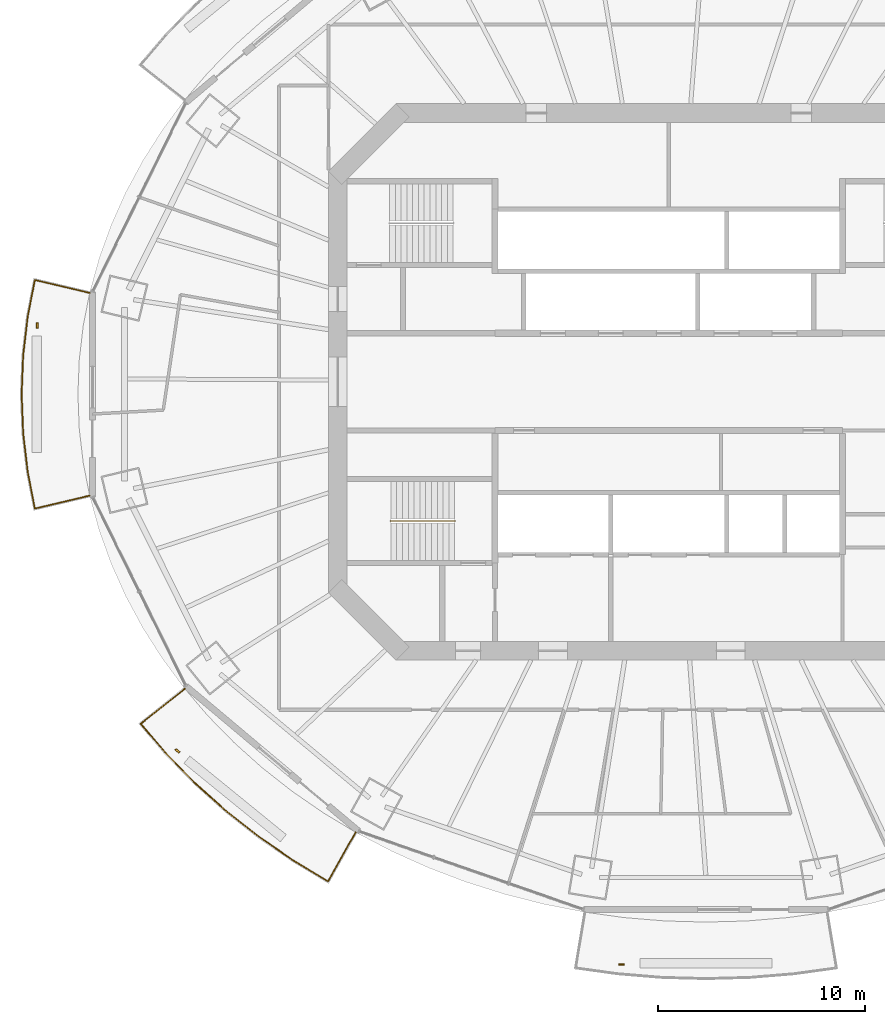
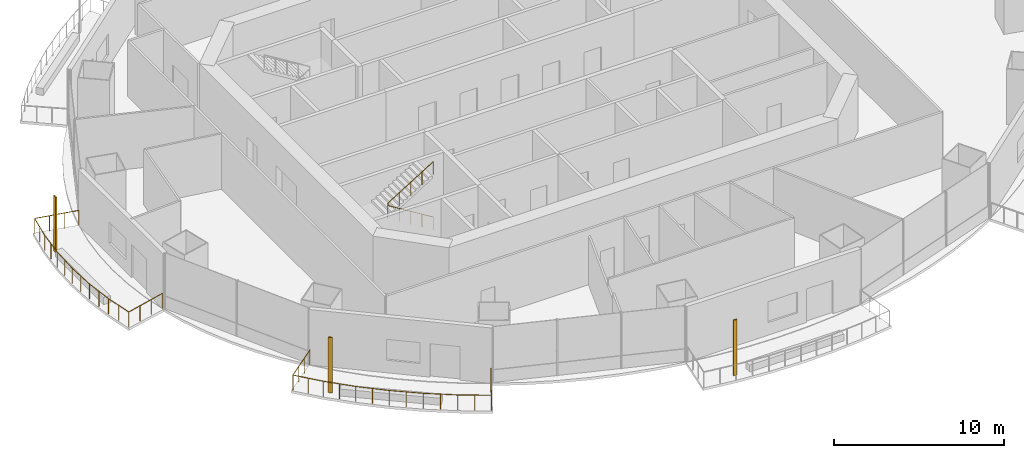
# One storey, part 14 of 19: 3 railings, 3 shading devices.
"""IFC4 building model written with IfcOpenShell, lengths in metres."""

from ifc_helpers import new_model, si_unit, direction, frame, origin, origin_2d, place, context, subcontext, project, spatial, rectangle, circle, extrude, material, material_profile, profile_set, type_object, element, save


model = new_model("IFC4")

# Units and contexts
model_context = context("Model", 3, precision=1e-05, world=origin(), true_north=direction((0.0, 1.0)))
body_context = subcontext(model_context, "Body", "Model", "MODEL_VIEW")
ifc_project = project(units=[si_unit("LENGTHUNIT", "METRE"), si_unit("AREAUNIT", "SQUARE_METRE"), si_unit("VOLUMEUNIT", "CUBIC_METRE"), si_unit("PLANEANGLEUNIT", "RADIAN"), si_unit("MASSUNIT", "GRAM", prefix="KILO")], contexts=[model_context])

# Site, building, storey
site_placement = place(None, origin())
site = spatial("IfcSite", under=ifc_project, at=site_placement, CompositionType="ELEMENT")
building_placement = place(site_placement, origin())
building = spatial("IfcBuilding", under=site, at=building_placement, Name="Marenthal Gate Tower", CompositionType="ELEMENT")
storey_placement = place(building_placement, frame((0.0, 0.0, 244.050048828125)))
storey = spatial("IfcBuildingStorey", under=building, at=storey_placement, Name="L54", CompositionType="ELEMENT", Elevation=244.050048828125)

# Railings
ifc_material_1 = material(Name="Stainless steel", Category="steel")
railing_type_1 = type_object("IfcRailingType", Name="Balcony guard 1100", PredefinedType="GUARDRAIL", material=ifc_material_1)
railing_1_placement = place(storey_placement, frame((-28.0, -5.500732421875, 0.0)))
element("IfcRailing", 1, at=railing_1_placement, inside=storey, type_object=railing_type_1, Name="Balcony guard L54 bay 8", PredefinedType="GUARDRAIL", context=body_context, shape_type="SweptSolid", body=[
    extrude(circle(Radius=0.02392578125, at=origin_2d()), frame((0.0, 0.0, 1.076171875), z_axis=(-0.973072245699, -0.230029899071, -0.014719041532), x_axis=(0.23005482113, -0.97317767097, 0.0)), (0.0, 0.0, 1.0), 2.72021484375),
    extrude(circle(Radius=0.02392578125, at=origin_2d()), frame((-2.64697265625, -0.625732421875, 1.0361328125), z_axis=(-0.191050348988, 0.981580238265, 0.0), x_axis=(-0.981580238265, -0.191050348988, 0.0)), (0.0, 0.0, 1.0), 1.80810546875),
    extrude(circle(Radius=0.02392578125, at=origin_2d()), frame((-2.992431640625, 1.149169921875, 1.0361328125), z_axis=(-0.116360074506, 0.99320709475, 0.0), x_axis=(-0.99320709475, -0.116360074506, 0.0)), (0.0, 0.0, 1.0), 1.884033203125),
    extrude(circle(Radius=0.02392578125, at=origin_2d()), frame((-3.211669921875, 3.0205078125, 1.0361328125), z_axis=(-0.038926454163, 0.999242078361, 0.0), x_axis=(-0.999242078361, -0.038926454163, 0.0)), (0.0, 0.0, 1.0), 1.881591796875),
    extrude(circle(Radius=0.02392578125, at=origin_2d()), frame((-3.284912109375, 4.900634765625, 1.0361328125), z_axis=(0.038921407749, 0.999242274936, 0.0), x_axis=(-0.999242274936, 0.038921407749, 0.0)), (0.0, 0.0, 1.0), 1.8818359375),
    extrude(circle(Radius=0.02392578125, at=origin_2d()), frame((-3.211669921875, 6.781005859375, 1.0361328125), z_axis=(0.116375051579, 0.993205339983, 0.0), x_axis=(-0.993205339983, 0.116375051579, 0.0)), (0.0, 0.0, 1.0), 1.8837890625),
    extrude(circle(Radius=0.02392578125, at=origin_2d()), frame((-2.992431640625, 8.652099609375, 1.0361328125), z_axis=(0.191025032202, 0.981585165471, 0.0), x_axis=(-0.981585165471, 0.191025032202, 0.0)), (0.0, 0.0, 1.0), 1.808349609375),
    extrude(circle(Radius=0.02392578125, at=origin_2d()), frame((-2.64697265625, 10.42724609375, 1.0361328125), z_axis=(0.973052153091, -0.230114897669, 0.014718737604), x_axis=(0.230139827907, 0.97315757183, 0.0)), (0.0, 0.0, 1.0), 2.72021484375),
    extrude(circle(Radius=0.02099609375, at=origin_2d()), origin(), (0.0, 0.0, 1.0), 1.052001953125),
    extrude(circle(Radius=0.02099609375, at=origin_2d()), frame((-0.88232421875, -0.20849609375, -0.013427734375)), (0.0, 0.0, 1.0), 1.052001953125),
    extrude(circle(Radius=0.02099609375, at=origin_2d()), frame((-1.7646484375, -0.417236328125, -0.026611328125)), (0.0, 0.0, 1.0), 1.052001953125),
    extrude(circle(Radius=0.02099609375, at=origin_2d()), frame((-2.64697265625, -0.625732421875, -0.0400390625)), (0.0, 0.0, 1.0), 1.052001953125),
    extrude(circle(Radius=0.02099609375, at=origin_2d()), frame((-2.81982421875, 0.26171875, -0.0400390625)), (0.0, 0.0, 1.0), 1.052001953125),
    extrude(circle(Radius=0.02099609375, at=origin_2d()), frame((-2.992431640625, 1.149169921875, -0.0400390625)), (0.0, 0.0, 1.0), 1.052001953125),
    extrude(circle(Radius=0.02099609375, at=origin_2d()), frame((-3.10205078125, 2.0849609375, -0.0400390625)), (0.0, 0.0, 1.0), 1.052001953125),
    extrude(circle(Radius=0.02099609375, at=origin_2d()), frame((-3.211669921875, 3.0205078125, -0.0400390625)), (0.0, 0.0, 1.0), 1.052001953125),
    extrude(circle(Radius=0.02099609375, at=origin_2d()), frame((-3.248291015625, 3.96044921875, -0.0400390625)), (0.0, 0.0, 1.0), 1.052001953125),
    extrude(circle(Radius=0.02099609375, at=origin_2d()), frame((-3.284912109375, 4.900634765625, -0.0400390625)), (0.0, 0.0, 1.0), 1.052001953125),
    extrude(circle(Radius=0.02099609375, at=origin_2d()), frame((-3.248291015625, 5.8408203125, -0.0400390625)), (0.0, 0.0, 1.0), 1.052001953125),
    extrude(circle(Radius=0.02099609375, at=origin_2d()), frame((-3.211669921875, 6.781005859375, -0.0400390625)), (0.0, 0.0, 1.0), 1.052001953125),
    extrude(circle(Radius=0.02099609375, at=origin_2d()), frame((-3.10205078125, 7.716552734375, -0.0400390625)), (0.0, 0.0, 1.0), 1.052001953125),
    extrude(circle(Radius=0.02099609375, at=origin_2d()), frame((-2.992431640625, 8.652099609375, -0.0400390625)), (0.0, 0.0, 1.0), 1.052001953125),
    extrude(circle(Radius=0.02099609375, at=origin_2d()), frame((-2.81982421875, 9.53955078125, -0.0400390625)), (0.0, 0.0, 1.0), 1.052001953125),
    extrude(circle(Radius=0.02099609375, at=origin_2d()), frame((-2.64697265625, 10.42724609375, -0.0400390625)), (0.0, 0.0, 1.0), 1.052001953125),
    extrude(circle(Radius=0.02099609375, at=origin_2d()), frame((-1.7646484375, 10.218505859375, -0.026611328125)), (0.0, 0.0, 1.0), 1.052001953125),
    extrude(circle(Radius=0.02099609375, at=origin_2d()), frame((-0.88232421875, 10.010009765625, -0.013427734375)), (0.0, 0.0, 1.0), 1.052001953125),
    extrude(circle(Radius=0.02099609375, at=origin_2d()), frame((0.0, 9.80126953125, 0.0)), (0.0, 0.0, 1.0), 1.052001953125),
])
railing_2_placement = place(storey_placement, frame((-15.1396484375, -21.779052734375, 0.0)))
element("IfcRailing", 2, at=railing_2_placement, inside=storey, type_object=railing_type_1, Name="Balcony guard L54 bay 10", PredefinedType="GUARDRAIL", context=body_context, shape_type="SweptSolid", body=[
    extrude(circle(Radius=0.02392578125, at=origin_2d()), frame((0.0, 0.0, 1.076171875), z_axis=(-0.489897076955, -0.871656037455, -0.014717552779), x_axis=(0.871750455914, -0.489950142987, 0.0)), (0.0, 0.0, 1.0), 2.720458984375),
    extrude(circle(Radius=0.02392578125, at=origin_2d()), frame((-1.332763671875, -2.371337890625, 1.0361328125), z_axis=(-0.855948649987, 0.517060836445, 0.0), x_axis=(-0.517060836445, -0.855948649987, 0.0)), (0.0, 0.0, 1.0), 1.9716796875),
    extrude(circle(Radius=0.02392578125, at=origin_2d()), frame((-3.0205078125, -1.351806640625, 1.0361328125), z_axis=(-0.823162524927, 0.567805827335, 0.0), x_axis=(-0.567805827335, -0.823162524927, 0.0)), (0.0, 0.0, 1.0), 2.035400390625),
    extrude(circle(Radius=0.02392578125, at=origin_2d()), frame((-4.696044921875, -0.196044921875, 1.0361328125), z_axis=(-0.785764137511, 0.618526248595, 0.0), x_axis=(-0.618526248595, -0.785764137511, 0.0)), (0.0, 0.0, 1.0), 2.01904296875),
    extrude(circle(Radius=0.02392578125, at=origin_2d()), frame((-6.282470703125, 1.052734375, 1.0361328125), z_axis=(-0.744232960916, 0.66792012987, 0.0), x_axis=(-0.66792012987, -0.744232960916, 0.0)), (0.0, 0.0, 1.0), 2.002685546875),
    extrude(circle(Radius=0.02392578125, at=origin_2d()), frame((-7.77294921875, 2.390380859375, 1.0361328125), z_axis=(-0.698634154887, 0.715479082591, 0.0), x_axis=(-0.715479082591, -0.698634154887, 0.0)), (0.0, 0.0, 1.0), 1.985595703125),
    extrude(circle(Radius=0.02392578125, at=origin_2d()), frame((-9.16015625, 3.81103515625, 1.0361328125), z_axis=(-0.649843765812, 0.760067812787, 0.0), x_axis=(-0.760067812787, -0.649843765812, 0.0)), (0.0, 0.0, 1.0), 1.889404296875),
    extrude(circle(Radius=0.02392578125, at=origin_2d()), frame((-10.387939453125, 5.2470703125, 1.0361328125), z_axis=(0.782977160261, 0.621876288795, 0.014718965415), x_axis=(-0.621943663853, 0.783061989241, 0.0)), (0.0, 0.0, 1.0), 2.72021484375),
    extrude(circle(Radius=0.02099609375, at=origin_2d()), origin(), (0.0, 0.0, 1.0), 1.052001953125),
    extrude(circle(Radius=0.02099609375, at=origin_2d()), frame((-0.4443359375, -0.79052734375, -0.013427734375)), (0.0, 0.0, 1.0), 1.052001953125),
    extrude(circle(Radius=0.02099609375, at=origin_2d()), frame((-0.888427734375, -1.580810546875, -0.026611328125)), (0.0, 0.0, 1.0), 1.052001953125),
    extrude(circle(Radius=0.02099609375, at=origin_2d()), frame((-1.332763671875, -2.371337890625, -0.0400390625)), (0.0, 0.0, 1.0), 1.052001953125),
    extrude(circle(Radius=0.02099609375, at=origin_2d()), frame((-2.1767578125, -1.861572265625, -0.0400390625)), (0.0, 0.0, 1.0), 1.052001953125),
    extrude(circle(Radius=0.02099609375, at=origin_2d()), frame((-3.0205078125, -1.351806640625, -0.0400390625)), (0.0, 0.0, 1.0), 1.052001953125),
    extrude(circle(Radius=0.02099609375, at=origin_2d()), frame((-3.8583984375, -0.77392578125, -0.0400390625)), (0.0, 0.0, 1.0), 1.052001953125),
    extrude(circle(Radius=0.02099609375, at=origin_2d()), frame((-4.696044921875, -0.196044921875, -0.0400390625)), (0.0, 0.0, 1.0), 1.052001953125),
    extrude(circle(Radius=0.02099609375, at=origin_2d()), frame((-5.4892578125, 0.42822265625, -0.0400390625)), (0.0, 0.0, 1.0), 1.052001953125),
    extrude(circle(Radius=0.02099609375, at=origin_2d()), frame((-6.282470703125, 1.052734375, -0.0400390625)), (0.0, 0.0, 1.0), 1.052001953125),
    extrude(circle(Radius=0.02099609375, at=origin_2d()), frame((-7.02783203125, 1.7216796875, -0.0400390625)), (0.0, 0.0, 1.0), 1.052001953125),
    extrude(circle(Radius=0.02099609375, at=origin_2d()), frame((-7.77294921875, 2.390380859375, -0.0400390625)), (0.0, 0.0, 1.0), 1.052001953125),
    extrude(circle(Radius=0.02099609375, at=origin_2d()), frame((-8.466552734375, 3.1005859375, -0.0400390625)), (0.0, 0.0, 1.0), 1.052001953125),
    extrude(circle(Radius=0.02099609375, at=origin_2d()), frame((-9.16015625, 3.81103515625, -0.0400390625)), (0.0, 0.0, 1.0), 1.052001953125),
    extrude(circle(Radius=0.02099609375, at=origin_2d()), frame((-9.77392578125, 4.529052734375, -0.0400390625)), (0.0, 0.0, 1.0), 1.052001953125),
    extrude(circle(Radius=0.02099609375, at=origin_2d()), frame((-10.387939453125, 5.2470703125, -0.0400390625)), (0.0, 0.0, 1.0), 1.052001953125),
    extrude(circle(Radius=0.02099609375, at=origin_2d()), frame((-9.677978515625, 5.81103515625, -0.026611328125)), (0.0, 0.0, 1.0), 1.052001953125),
    extrude(circle(Radius=0.02099609375, at=origin_2d()), frame((-8.968017578125, 6.374755859375, -0.013427734375)), (0.0, 0.0, 1.0), 1.052001953125),
    extrude(circle(Radius=0.02099609375, at=origin_2d()), frame((-8.258056640625, 6.938720703125, 0.0)), (0.0, 0.0, 1.0), 1.052001953125),
])
ifc_material_2 = material(Name="Stainless steel", Category="steel")
railing_type_2 = type_object("IfcRailingType", Name="Stair handrail", PredefinedType="HANDRAIL", material=ifc_material_2)
railing_3_placement = place(storey_placement, frame((-10.35009765625, -6.72509765625, 0.1728515625)))
element("IfcRailing", 3, at=railing_3_placement, inside=storey, type_object=railing_type_2, Name="Handrail ST2", PredefinedType="HANDRAIL", context=body_context, shape_type="SweptSolid", body=[
    extrude(circle(Radius=0.0224609375, at=origin_2d()), frame((0.0, 0.0, 0.927490234375), z_axis=(-0.850816621229, 0.0, 0.525462726595), x_axis=(0.0, -1.0, 0.0)), (0.0, 0.0, 1.0), 3.619873046875),
    extrude(circle(Radius=0.0224609375, at=origin_2d()), frame((-3.079833984375, 0.0, 2.82958984375), z_axis=(0.0, 0.0, 1.0), x_axis=(1.0, 0.0, 0.0)), (0.0, 0.0, 1.0), 0.1728515625),
    extrude(circle(Radius=0.0224609375, at=origin_2d()), frame((-3.079833984375, 0.0, 3.00244140625), z_axis=(0.850816621229, 0.0, 0.525462726595), x_axis=(0.0, 1.0, 0.0)), (0.0, 0.0, 1.0), 3.619873046875),
    extrude(circle(Radius=0.02001953125, at=origin_2d()), origin(), (0.0, 0.0, 1.0), 0.905029296875),
    extrude(circle(Radius=0.02001953125, at=origin_2d()), frame((-0.77001953125, 0.0, 0.4755859375)), (0.0, 0.0, 1.0), 0.905029296875),
    extrude(circle(Radius=0.02001953125, at=origin_2d()), frame((-1.5400390625, 0.0, 0.951171875)), (0.0, 0.0, 1.0), 0.905029296875),
    extrude(circle(Radius=0.02001953125, at=origin_2d()), frame((-2.309814453125, 0.0, 1.426513671875)), (0.0, 0.0, 1.0), 0.905029296875),
    extrude(circle(Radius=0.02001953125, at=origin_2d()), frame((-3.079833984375, 0.0, 1.902099609375)), (0.0, 0.0, 1.0), 0.905029296875),
    extrude(circle(Radius=0.02001953125, at=origin_2d()), frame((-3.079833984375, 0.0, 2.074951171875)), (0.0, 0.0, 1.0), 0.905029296875),
    extrude(circle(Radius=0.02001953125, at=origin_2d()), frame((-2.309814453125, 0.0, 2.550537109375)), (0.0, 0.0, 1.0), 0.905029296875),
    extrude(circle(Radius=0.02001953125, at=origin_2d()), frame((-1.5400390625, 0.0, 3.02587890625)), (0.0, 0.0, 1.0), 0.905029296875),
    extrude(circle(Radius=0.02001953125, at=origin_2d()), frame((-0.77001953125, 0.0, 3.50146484375)), (0.0, 0.0, 1.0), 0.905029296875),
    extrude(circle(Radius=0.02001953125, at=origin_2d()), frame((0.0, 0.0, 3.97705078125)), (0.0, 0.0, 1.0), 0.905029296875),
])

# Shading devices
ifc_material_3 = material(Name="Terracotta", Category="masonry")
ifc_material_profile = material_profile(ifc_material_3, rectangle(XDim=0.25, YDim=0.080078125, at=origin_2d()), Name="Terracotta baguette 250x80")
ifc_profile_set = profile_set([ifc_material_profile], Name="Terracotta")
shading_device_type = type_object("IfcShadingDeviceType", Name="Terracotta BAGUETTE SCREEN 250x80", PredefinedType="USERDEFINED", material=ifc_profile_set)
for number, where, z_axis, x_axis, name in (
    (4, (-30.532958984375, 2.723388671875, -0.0400390625), (0.0, 0.0, 1.0), (0.0, -1.0, 0.0), "Terracotta BAGUETTE L54 bay 8L"),
    (5, (-23.75, -17.84375, -0.0400390625), (0.0, 0.0, 1.0), (0.765469470301, -0.643472213881, 0.0), "Terracotta BAGUETTE L54 bay 10L"),
    (6, (-2.28564453125, -28.1640625, -0.0400390625), (0.0, 0.0, 1.0), (1.0, 0.0, 0.0), "Terracotta BAGUETTE L54 bay 12L"),
):
    element("IfcShadingDevice", number, at=place(storey_placement, frame(where, z_axis=z_axis, x_axis=x_axis)), inside=storey, type_object=shading_device_type, Name=name, ObjectType="BAGUETTE SCREEN", PredefinedType="USERDEFINED", context=body_context, shape_type="SweptSolid", body=[
        extrude(rectangle(XDim=0.25, YDim=0.080078125, at=origin_2d()), origin(), (0.0, 0.0, 1.0), 3.969970703125),
    ])

save(model, "model.ifc")
